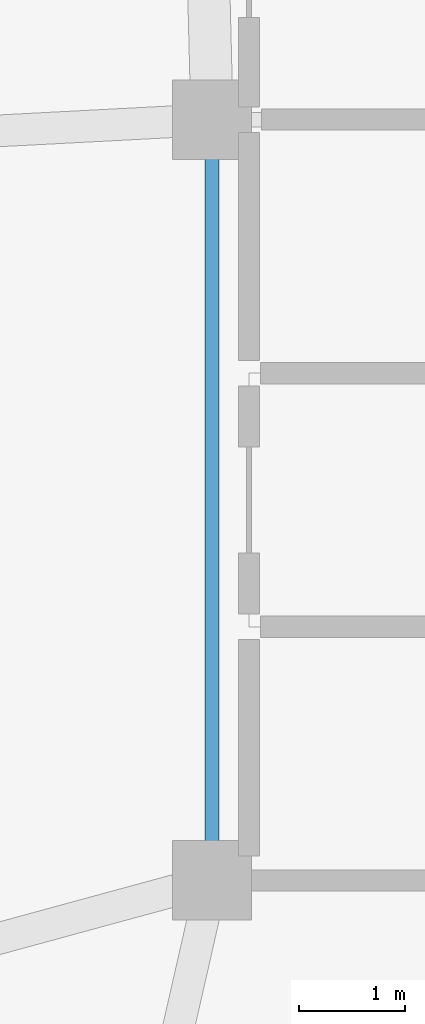
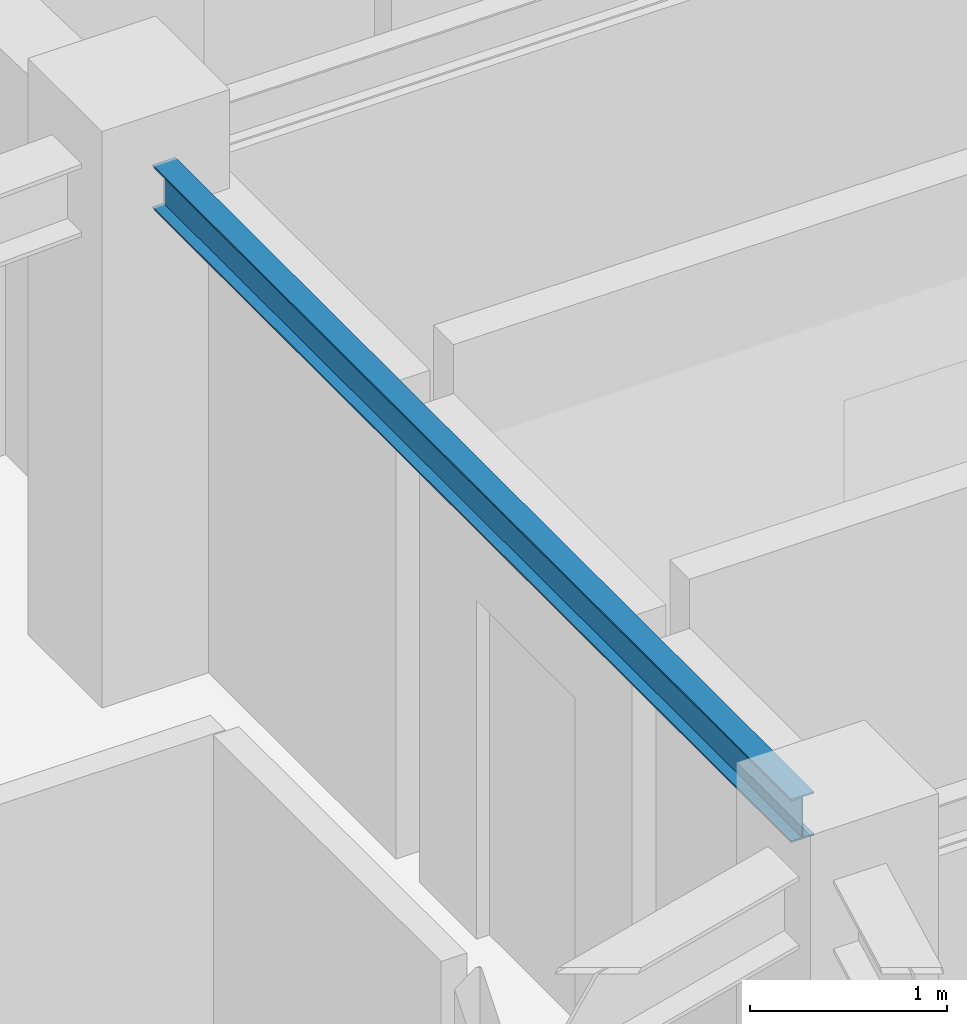
# One storey, part 6 of 28: 1 beam.
"""IFC4 building model written with IfcOpenShell, lengths in metres."""

from ifc_helpers import new_model, si_unit, direction, frame, origin, origin_2d, place, context, subcontext, project, spatial, i_section, extrude, material, material_profile, profile_set, type_object, element, save


model = new_model("IFC4")

# Units and contexts
model_context = context("Model", 3, precision=1e-05, world=origin(), true_north=direction((0.0, 1.0)))
body_context = subcontext(model_context, "Body", "Model", "MODEL_VIEW")
ifc_project = project(units=[si_unit("LENGTHUNIT", "METRE"), si_unit("AREAUNIT", "SQUARE_METRE"), si_unit("VOLUMEUNIT", "CUBIC_METRE"), si_unit("PLANEANGLEUNIT", "RADIAN"), si_unit("MASSUNIT", "GRAM", prefix="KILO")], contexts=[model_context])

# Site, building, storey
site_placement = place(None, origin())
site = spatial("IfcSite", under=ifc_project, at=site_placement, CompositionType="ELEMENT")
building_placement = place(site_placement, origin())
building = spatial("IfcBuilding", under=site, at=building_placement, Name="Varnakorn Sky Granary", CompositionType="ELEMENT")
storey_placement = place(building_placement, frame((0.0, 0.0, 236.39990234375)))
storey = spatial("IfcBuildingStorey", under=building, at=storey_placement, Name="L60", CompositionType="ELEMENT", Elevation=236.39990234375)

# Beam
ifc_material = material(Name="Steel S355JR", Category="steel")
ifc_material_profile = material_profile(ifc_material, i_section(OverallWidth=0.135009765625, OverallDepth=0.27001953125, WebThickness=0.006591796875, FlangeThickness=0.01025390625, at=origin_2d()), Name="IPE 270")
ifc_profile_set = profile_set([ifc_material_profile], Name="Steel S355JR")
beam_type = type_object("IfcBeamType", Name="BM-SEC-Z5", PredefinedType="BEAM", material=ifc_profile_set)
beam_placement = place(storey_placement, frame((-2.35009765625, 0.2451171875, 3.114990234375), z_axis=(0.0, -1.0, 0.0), x_axis=(1.0, 0.0, 0.0)))
element("IfcBeam", 1, at=beam_placement, inside=storey, type_object=beam_type, Name="Core Spine Framing Beam 3 L60", PredefinedType="BEAM", context=body_context, shape_type="SweptSolid", body=[
    extrude(i_section(OverallWidth=0.135009765625, OverallDepth=0.27001953125, WebThickness=0.006591796875, FlangeThickness=0.01025390625, at=origin_2d()), origin(), (0.0, 0.0, 1.0), 6.490234375),
])

save(model, "model.ifc")
